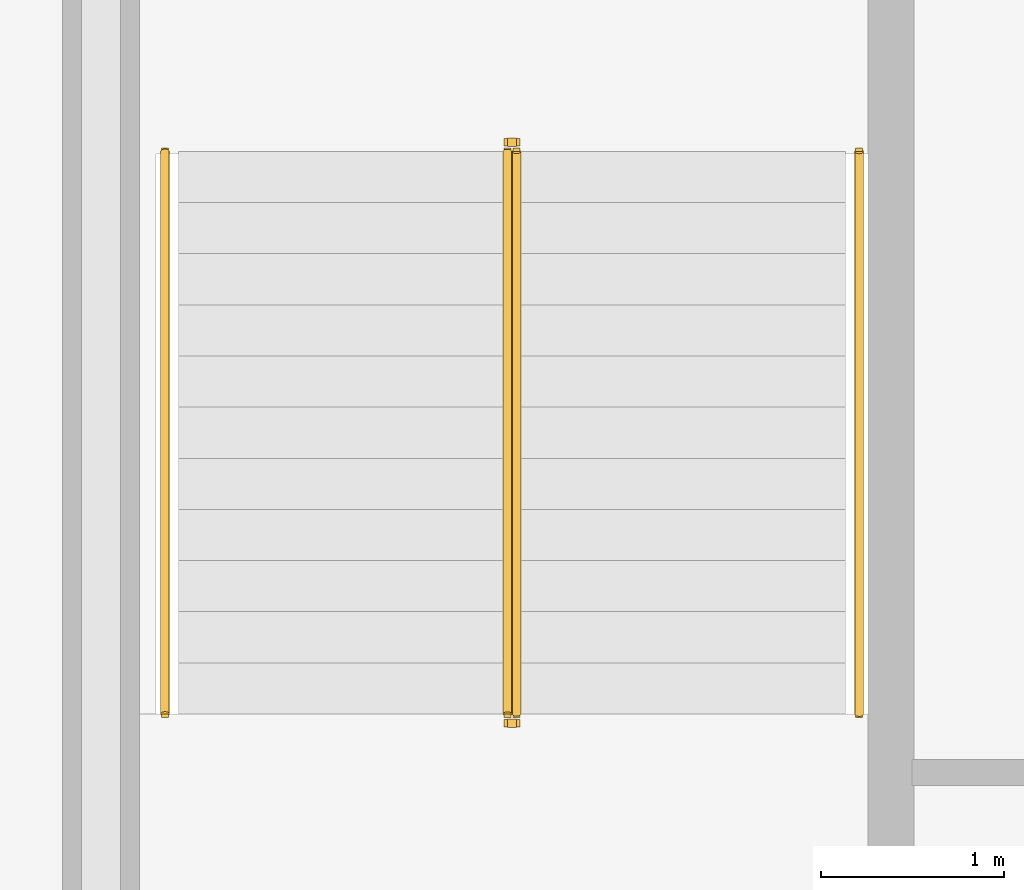
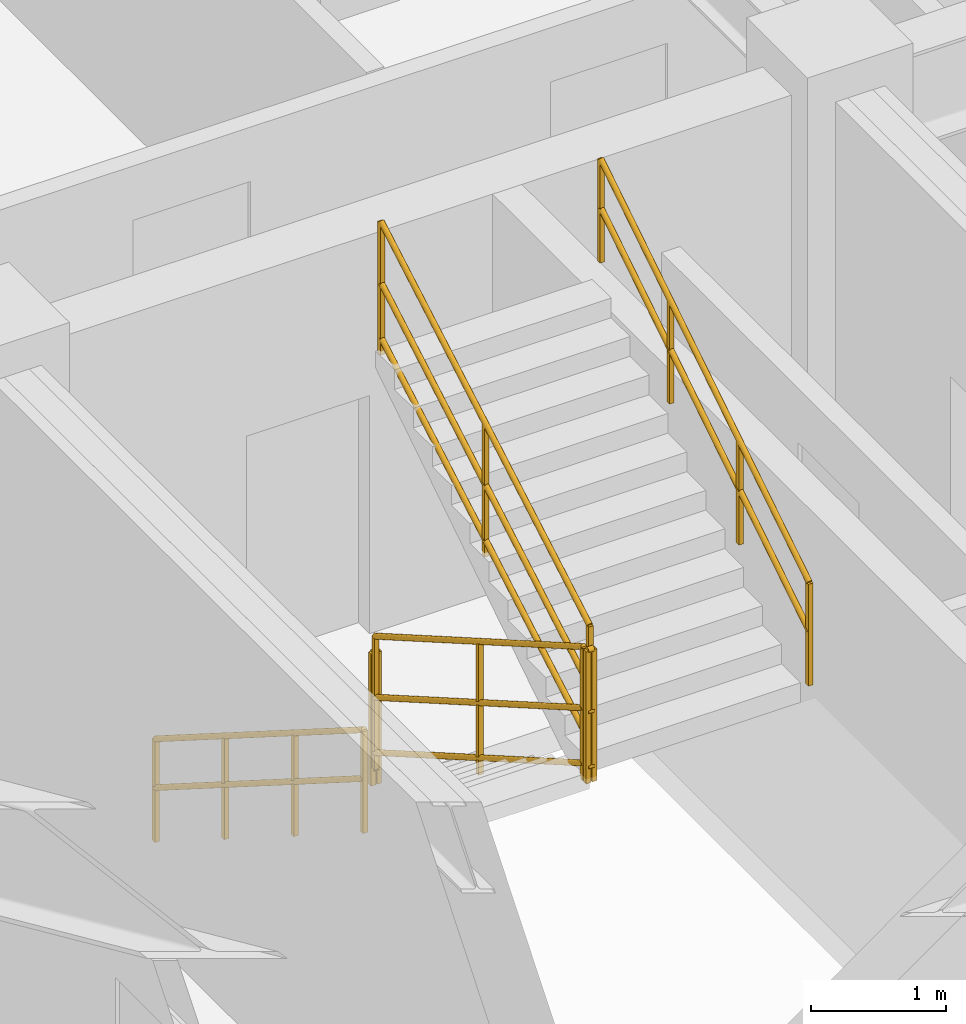
# One storey, part 10 of 10: 6 railings.
"""IFC4 building model written with IfcOpenShell, lengths in metres."""

from ifc_helpers import new_model, entity, si_unit, converted_unit, direction, frame, origin_with_axes, origin_2d_with_axis, place, context, subcontext, project, spatial, rectangle, circle, extrude, material, type_object, element, save


model = new_model("IFC4")

# Units and contexts
model_context = context("Model", 3, precision=1e-05, world=origin_with_axes(), true_north=direction((0.0, 1.0)))
body_context = subcontext(model_context, "Body", "Model", "MODEL_VIEW")
ifc_project = project(units=[si_unit("LENGTHUNIT", "METRE"), si_unit("AREAUNIT", "SQUARE_METRE"), si_unit("VOLUMEUNIT", "CUBIC_METRE"), converted_unit("PLANEANGLEUNIT", "DEGREE", entity("IfcPlaneAngleMeasure", 0.017453292519943295), si_unit("PLANEANGLEUNIT", "RADIAN"), dimensions=[0, 0, 0, 0, 0, 0, 0]), si_unit("MASSUNIT", "GRAM", prefix="KILO"), si_unit("THERMODYNAMICTEMPERATUREUNIT", "KELVIN")], contexts=[model_context])

# Site, building, storey
site_placement = place(None, origin_with_axes())
site = spatial("IfcSite", under=ifc_project, at=site_placement, CompositionType="ELEMENT")
building_placement = place(site_placement, origin_with_axes())
building = spatial("IfcBuilding", under=site, at=building_placement, Name="Varnlund Millrace Tower", CompositionType="ELEMENT")
storey_placement = place(building_placement, frame((0.0, 0.0, 244.2), z_axis=(0.0, 0.0, 1.0), x_axis=(1.0, 0.0, 0.0)))
storey = spatial("IfcBuildingStorey", under=building, at=storey_placement, Name="L60", CompositionType="ELEMENT", Elevation=244.2)

# Railings
ifc_material_1 = material(Name="Painted steel stair well balustrade guard", Category="steel")
railing_type_1 = type_object("IfcRailingType", Name="Type-StairGuard-1150", PredefinedType="GUARDRAIL", material=ifc_material_1)
railing_1_placement = place(storey_placement, frame((0.0, 0.0, -244.2), z_axis=(0.0, 0.0, 1.0), x_axis=(1.0, 0.0, 0.0)))
element("IfcRailing", 1, at=railing_1_placement, inside=storey, type_object=railing_type_1, Name="Type-StairGuard-1150", PredefinedType="GUARDRAIL", context=body_context, shape_type="SweptSolid", body=[
    extrude(circle(Radius=0.024, at=origin_2d_with_axis()), frame((13.625, 35.9, 245.527273), z_axis=(0.0, -0.866696, 0.498836), x_axis=(1.0, 0.0, 0.0)), (0.0, 0.0, 1.0), 3.553725),
    extrude(circle(Radius=0.024, at=origin_2d_with_axis()), frame((13.625, 35.9, 244.477273), z_axis=(0.0, -0.866696, 0.498836), x_axis=(1.0, 0.0, 0.0)), (0.0, 0.0, 1.0), 3.553725),
    extrude(circle(Radius=0.024, at=origin_2d_with_axis()), frame((13.625, 35.9, 244.975273), z_axis=(0.0, -0.866696, 0.498836), x_axis=(1.0, 0.0, 0.0)), (0.0, 0.0, 1.0), 3.553725),
    extrude(rectangle(XDim=0.04, YDim=0.04, at=origin_2d_with_axis()), frame((13.625, 35.9, 244.337273), z_axis=(0.0, 0.0, 1.0), x_axis=(1.0, 0.0, 0.0)), (0.0, 0.0, 1.0), 1.19),
    extrude(rectangle(XDim=0.04, YDim=0.04, at=origin_2d_with_axis()), frame((13.625, 34.36, 245.223637), z_axis=(0.0, 0.0, 1.0), x_axis=(1.0, 0.0, 0.0)), (0.0, 0.0, 1.0), 1.19),
    extrude(rectangle(XDim=0.04, YDim=0.04, at=origin_2d_with_axis()), frame((13.625, 32.82, 246.11), z_axis=(0.0, 0.0, 1.0), x_axis=(1.0, 0.0, 0.0)), (0.0, 0.0, 1.0), 1.19),
])
railing_2_placement = place(storey_placement, frame((0.0, 0.0, -244.2), z_axis=(0.0, 0.0, 1.0), x_axis=(1.0, 0.0, 0.0)))
element("IfcRailing", 2, at=railing_2_placement, inside=storey, type_object=railing_type_1, Name="Type-StairGuard-1150", PredefinedType="GUARDRAIL", context=body_context, shape_type="SweptSolid", body=[
    extrude(circle(Radius=0.024, at=origin_2d_with_axis()), frame((13.675, 32.77, 247.3), z_axis=(-1.0, 0.0, 0.0), x_axis=(0.0, -1.0, 0.0)), (0.0, 0.0, 1.0), 0.05),
    extrude(circle(Radius=0.024, at=origin_2d_with_axis()), frame((13.675, 32.77, 246.25), z_axis=(-1.0, 0.0, 0.0), x_axis=(0.0, -1.0, 0.0)), (0.0, 0.0, 1.0), 0.05),
    extrude(circle(Radius=0.024, at=origin_2d_with_axis()), frame((13.675, 32.77, 246.748), z_axis=(-1.0, 0.0, 0.0), x_axis=(0.0, -1.0, 0.0)), (0.0, 0.0, 1.0), 0.05),
    extrude(rectangle(XDim=0.04, YDim=0.04, at=origin_2d_with_axis()), frame((13.675, 32.77, 246.11), z_axis=(0.0, 0.0, 1.0), x_axis=(1.0, 0.0, 0.0)), (0.0, 0.0, 1.0), 1.19),
    extrude(rectangle(XDim=0.04, YDim=0.04, at=origin_2d_with_axis()), frame((13.625, 32.77, 246.11), z_axis=(0.0, 0.0, 1.0), x_axis=(1.0, 0.0, 0.0)), (0.0, 0.0, 1.0), 1.19),
])
railing_3_placement = place(storey_placement, frame((0.0, 0.0, -244.2), z_axis=(0.0, 0.0, 1.0), x_axis=(1.0, 0.0, 0.0)))
element("IfcRailing", 3, at=railing_3_placement, inside=storey, type_object=railing_type_1, Name="Type-StairGuard-1150", PredefinedType="GUARDRAIL", context=body_context, shape_type="SweptSolid", body=[
    extrude(circle(Radius=0.024, at=origin_2d_with_axis()), frame((13.675, 32.82, 247.477273), z_axis=(0.0, 0.866696, 0.498836), x_axis=(-1.0, 0.0, 0.0)), (0.0, 0.0, 1.0), 3.553725),
    extrude(circle(Radius=0.024, at=origin_2d_with_axis()), frame((13.675, 32.82, 246.427273), z_axis=(0.0, 0.866696, 0.498836), x_axis=(-1.0, 0.0, 0.0)), (0.0, 0.0, 1.0), 3.553725),
    extrude(circle(Radius=0.024, at=origin_2d_with_axis()), frame((13.675, 32.82, 246.925273), z_axis=(0.0, 0.866696, 0.498836), x_axis=(-1.0, 0.0, 0.0)), (0.0, 0.0, 1.0), 3.553725),
    extrude(rectangle(XDim=0.04, YDim=0.04, at=origin_2d_with_axis()), frame((13.675, 32.82, 246.287273), z_axis=(0.0, 0.0, 1.0), x_axis=(1.0, 0.0, 0.0)), (0.0, 0.0, 1.0), 1.19),
    extrude(rectangle(XDim=0.04, YDim=0.04, at=origin_2d_with_axis()), frame((13.675, 34.36, 247.173637), z_axis=(0.0, 0.0, 1.0), x_axis=(1.0, 0.0, 0.0)), (0.0, 0.0, 1.0), 1.19),
    extrude(rectangle(XDim=0.04, YDim=0.04, at=origin_2d_with_axis()), frame((13.675, 35.9, 248.06), z_axis=(0.0, 0.0, 1.0), x_axis=(1.0, 0.0, 0.0)), (0.0, 0.0, 1.0), 1.19),
])
railing_4_placement = place(storey_placement, frame((0.0, 0.0, -244.2), z_axis=(0.0, 0.0, 1.0), x_axis=(1.0, 0.0, 0.0)))
element("IfcRailing", 4, at=railing_4_placement, inside=storey, type_object=railing_type_1, Name="Type-StairGuard-1150", PredefinedType="GUARDRAIL", context=body_context, shape_type="SweptSolid", body=[
    extrude(circle(Radius=0.024, at=origin_2d_with_axis()), frame((13.675, 35.95, 245.35), z_axis=(-1.0, 0.0, 0.0), x_axis=(0.0, -1.0, 0.0)), (0.0, 0.0, 1.0), 0.05),
    extrude(circle(Radius=0.024, at=origin_2d_with_axis()), frame((13.675, 35.95, 244.3), z_axis=(-1.0, 0.0, 0.0), x_axis=(0.0, -1.0, 0.0)), (0.0, 0.0, 1.0), 0.05),
    extrude(circle(Radius=0.024, at=origin_2d_with_axis()), frame((13.675, 35.95, 244.798), z_axis=(-1.0, 0.0, 0.0), x_axis=(0.0, -1.0, 0.0)), (0.0, 0.0, 1.0), 0.05),
    extrude(rectangle(XDim=0.04, YDim=0.04, at=origin_2d_with_axis()), frame((13.675, 35.95, 244.16), z_axis=(0.0, 0.0, 1.0), x_axis=(1.0, 0.0, 0.0)), (0.0, 0.0, 1.0), 1.19),
    extrude(rectangle(XDim=0.04, YDim=0.04, at=origin_2d_with_axis()), frame((13.625, 35.95, 244.16), z_axis=(0.0, 0.0, 1.0), x_axis=(1.0, 0.0, 0.0)), (0.0, 0.0, 1.0), 1.19),
])
ifc_material_2 = material(Name="Brushed architectural bronze stair handrail", Category="aluminium")
railing_type_2 = type_object("IfcRailingType", Name="Type-StairHandrail-900", PredefinedType="HANDRAIL", material=ifc_material_2)
railing_5_placement = place(storey_placement, frame((0.0, 0.0, -244.2), z_axis=(0.0, 0.0, 1.0), x_axis=(1.0, 0.0, 0.0)))
element("IfcRailing", 5, at=railing_5_placement, inside=storey, type_object=railing_type_2, Name="Type-StairHandrail-900", PredefinedType="HANDRAIL", context=body_context, shape_type="SweptSolid", body=[
    extrude(circle(Radius=0.024, at=origin_2d_with_axis()), frame((11.75, 35.9, 245.256995), z_axis=(0.0, -0.844902, 0.534922), x_axis=(1.0, 0.0, 0.0)), (0.0, 0.0, 1.0), 3.645394),
    extrude(circle(Radius=0.024, at=origin_2d_with_axis()), frame((11.75, 35.9, 244.817134), z_axis=(0.0, -0.844902, 0.534922), x_axis=(1.0, 0.0, 0.0)), (0.0, 0.0, 1.0), 3.645394),
    extrude(rectangle(XDim=0.04, YDim=0.04, at=origin_2d_with_axis()), frame((11.75, 35.9, 244.337273), z_axis=(0.0, 0.0, 1.0), x_axis=(1.0, 0.0, 0.0)), (0.0, 0.0, 1.0), 0.919722),
    extrude(rectangle(XDim=0.04, YDim=0.04, at=origin_2d_with_axis()), frame((11.75, 34.873333, 244.987273), z_axis=(0.0, 0.0, 1.0), x_axis=(1.0, 0.0, 0.0)), (0.0, 0.0, 1.0), 0.919722),
    extrude(rectangle(XDim=0.04, YDim=0.04, at=origin_2d_with_axis()), frame((11.75, 33.846667, 245.637273), z_axis=(0.0, 0.0, 1.0), x_axis=(1.0, 0.0, 0.0)), (0.0, 0.0, 1.0), 0.919722),
    extrude(rectangle(XDim=0.04, YDim=0.04, at=origin_2d_with_axis()), frame((11.75, 32.82, 246.287273), z_axis=(0.0, 0.0, 1.0), x_axis=(1.0, 0.0, 0.0)), (0.0, 0.0, 1.0), 0.919722),
])
railing_6_placement = place(storey_placement, frame((0.0, 0.0, -244.2), z_axis=(0.0, 0.0, 1.0), x_axis=(1.0, 0.0, 0.0)))
element("IfcRailing", 6, at=railing_6_placement, inside=storey, type_object=railing_type_2, Name="Type-StairHandrail-900", PredefinedType="HANDRAIL", context=body_context, shape_type="SweptSolid", body=[
    extrude(circle(Radius=0.024, at=origin_2d_with_axis()), frame((15.55, 32.82, 247.206995), z_axis=(0.0, 0.844902, 0.534922), x_axis=(-1.0, 0.0, 0.0)), (0.0, 0.0, 1.0), 3.645394),
    extrude(circle(Radius=0.024, at=origin_2d_with_axis()), frame((15.55, 32.82, 246.767134), z_axis=(0.0, 0.844902, 0.534922), x_axis=(-1.0, 0.0, 0.0)), (0.0, 0.0, 1.0), 3.645394),
    extrude(rectangle(XDim=0.04, YDim=0.04, at=origin_2d_with_axis()), frame((15.55, 32.82, 246.287273), z_axis=(0.0, 0.0, 1.0), x_axis=(1.0, 0.0, 0.0)), (0.0, 0.0, 1.0), 0.919722),
    extrude(rectangle(XDim=0.04, YDim=0.04, at=origin_2d_with_axis()), frame((15.55, 33.846667, 246.937273), z_axis=(0.0, 0.0, 1.0), x_axis=(1.0, 0.0, 0.0)), (0.0, 0.0, 1.0), 0.919722),
    extrude(rectangle(XDim=0.04, YDim=0.04, at=origin_2d_with_axis()), frame((15.55, 34.873333, 247.587273), z_axis=(0.0, 0.0, 1.0), x_axis=(1.0, 0.0, 0.0)), (0.0, 0.0, 1.0), 0.919722),
    extrude(rectangle(XDim=0.04, YDim=0.04, at=origin_2d_with_axis()), frame((15.55, 35.9, 248.237273), z_axis=(0.0, 0.0, 1.0), x_axis=(1.0, 0.0, 0.0)), (0.0, 0.0, 1.0), 0.919722),
])

save(model, "model.ifc")
